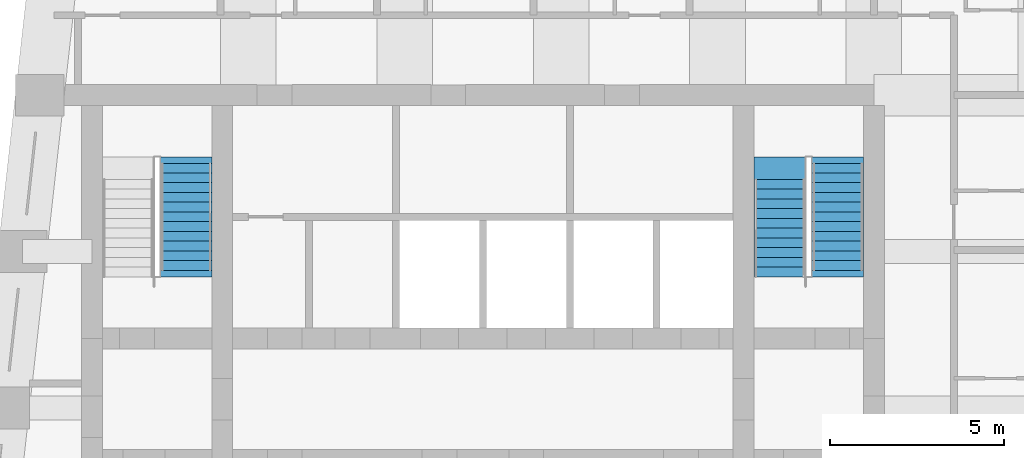
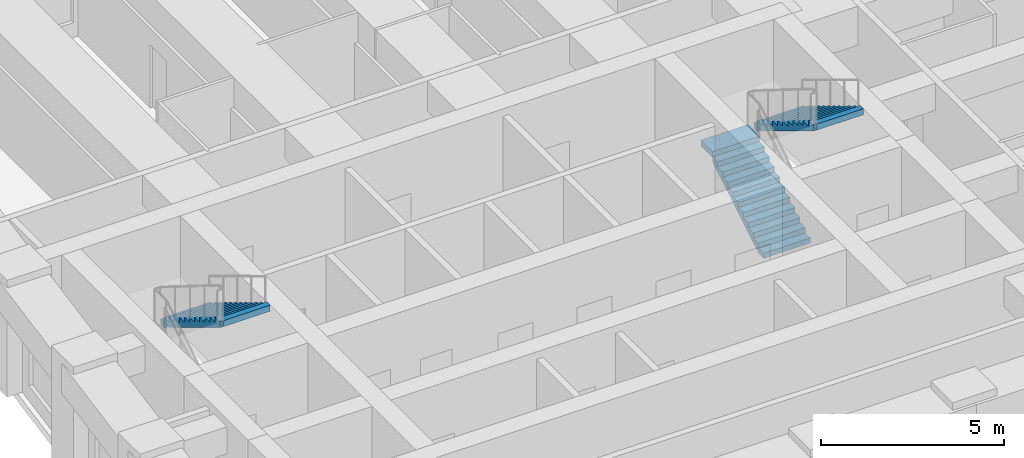
# One storey, part 6 of 7: 3 stair flights, 2 elements without a shape of their own.
"""IFC4 building model written with IfcOpenShell, lengths in metres."""

from ifc_helpers import new_model, si_unit, direction, frame, origin, place, context, subcontext, project, spatial, polyline, outline, extrude, material, type_object, element, aggregate, save


model = new_model("IFC4")

# Units and contexts
model_context = context("Model", 3, precision=1e-05, world=origin(), true_north=direction((0.0, 1.0)))
body_context = subcontext(model_context, "Body", "Model", "MODEL_VIEW")
ifc_project = project(units=[si_unit("LENGTHUNIT", "METRE"), si_unit("AREAUNIT", "SQUARE_METRE"), si_unit("VOLUMEUNIT", "CUBIC_METRE"), si_unit("PLANEANGLEUNIT", "RADIAN"), si_unit("MASSUNIT", "GRAM", prefix="KILO")], contexts=[model_context])

# Site, building, storey
site_placement = place(None, origin())
site = spatial("IfcSite", under=ifc_project, at=site_placement, CompositionType="ELEMENT")
building_placement = place(site_placement, origin())
building = spatial("IfcBuilding", under=site, at=building_placement, Name="Kilele Tower Hotel", CompositionType="ELEMENT")
storey_placement = place(building_placement, frame((0.0, 0.0, 262.39990234375)))
storey = spatial("IfcBuildingStorey", under=building, at=storey_placement, Name="L67", CompositionType="ELEMENT", Elevation=262.39990234375)

# Stair, stair flight
ifc_material_1 = material(Name="Precast concrete C40/50", Category="concrete")
stair_type = type_object("IfcStairType", Name="Stair 1475 x 3900", PredefinedType="HALF_TURN_STAIR", material=ifc_material_1)
stair_1_placement = place(storey_placement, origin())
stair_1 = element("IfcStair", 1, at=stair_1_placement, inside=storey, type_object=stair_type, Name="Stair 1 L67", PredefinedType="HALF_TURN_STAIR")
ifc_material_2 = material(Name="Precast concrete C40/50", Category="concrete")
stair_flight_type = type_object("IfcStairFlightType", Name="Flight 1475 riser 169.6", PredefinedType="STRAIGHT", material=ifc_material_2)
stair_flight_1_placement = place(storey_placement, frame((16.21240234375, 25.0400390625, 1.865234375), z_axis=(0.0, 0.0, 1.0), x_axis=(0.0, -1.0, 0.0)))
stair_flight_1 = element("IfcStairFlight", 2, at=stair_flight_1_placement, type_object=stair_flight_type, Name="ST1 flight 2", NumberOfRisers=12, NumberOfTreads=11, PredefinedType="STRAIGHT", RiserHeight=0.169565217, TreadLength=0.28, context=body_context, shape_type="SweptSolid", body=[
    extrude(outline(polyline([(0.0, 0.0), (0.0, 0.169677734375), (0.280029296875, 0.169677734375), (0.280029296875, 0.339111328125), (0.56005859375, 0.339111328125), (0.56005859375, 0.5087890625), (0.840087890625, 0.5087890625), (0.840087890625, 0.67822265625), (1.1201171875, 0.67822265625), (1.1201171875, 0.847900390625), (1.39990234375, 0.847900390625), (1.39990234375, 1.017333984375), (1.679931640625, 1.017333984375), (1.679931640625, 1.18701171875), (1.9599609375, 1.18701171875), (1.9599609375, 1.3564453125), (2.239990234375, 1.3564453125), (2.239990234375, 1.526123046875), (2.52001953125, 1.526123046875), (2.52001953125, 1.695556640625), (2.800048828125, 1.695556640625), (2.800048828125, 1.865234375), (3.080078125, 1.865234375), (3.080078125, 2.03466796875), (3.080078125, 1.68994140625), (0.289306640625, 0.0), (0.0, 0.0)])), frame((0.0, 0.737548828125, 0.0), z_axis=(0.0, -1.0, 0.0), x_axis=(1.0, 0.0, 0.0)), (0.0, 0.0, 1.0), 1.47509765625),
    extrude(outline(polyline([(0.0, -0.7373046875), (0.0, 0.737548828125), (-0.18505859375, 0.737548828125), (-0.18505859375, -0.7373046875), (0.0, -0.7373046875)])), frame((0.0, 0.0, -0.199951171875)), (0.0, 0.0, 1.0), 0.199951171875),
    extrude(outline(polyline([(3.26513671875, -0.7373046875), (3.26513671875, 0.737548828125), (3.080078125, 0.737548828125), (3.080078125, -0.7373046875), (3.26513671875, -0.7373046875)])), frame((0.0, 0.0, 1.8349609375)), (0.0, 0.0, 1.0), 0.199951171875),
])
aggregate(stair_1, [stair_flight_1])

# Stair, stair flights
stair_2_placement = place(storey_placement, origin())
stair_2 = element("IfcStair", 3, at=stair_2_placement, inside=storey, type_object=stair_type, Name="Stair 2 L67", PredefinedType="HALF_TURN_STAIR")
stair_flight_2_placement = place(storey_placement, frame((33.28759765625, 21.77490234375, 0.0), z_axis=(0.0, 0.0, 1.0), x_axis=(0.0, 1.0, 0.0)))
stair_flight_2 = element("IfcStairFlight", 4, at=stair_flight_2_placement, type_object=stair_flight_type, Name="ST2 flight 1", NumberOfRisers=11, NumberOfTreads=10, PredefinedType="STRAIGHT", RiserHeight=0.169565217, TreadLength=0.28, context=body_context, shape_type="SweptSolid", body=[
    extrude(outline(polyline([(0.0, 0.0), (0.0, 0.169677734375), (0.280029296875, 0.169677734375), (0.280029296875, 0.339111328125), (0.56005859375, 0.339111328125), (0.56005859375, 0.5087890625), (0.840087890625, 0.5087890625), (0.840087890625, 0.67822265625), (1.1201171875, 0.67822265625), (1.1201171875, 0.847900390625), (1.39990234375, 0.847900390625), (1.39990234375, 1.017333984375), (1.679931640625, 1.017333984375), (1.679931640625, 1.18701171875), (1.9599609375, 1.18701171875), (1.9599609375, 1.3564453125), (2.239990234375, 1.3564453125), (2.239990234375, 1.526123046875), (2.52001953125, 1.526123046875), (2.52001953125, 1.695556640625), (2.800048828125, 1.695556640625), (2.800048828125, 1.865234375), (2.800048828125, 1.5205078125), (0.289306640625, 0.0), (0.0, 0.0)])), frame((0.0, 0.737548828125, 0.0), z_axis=(0.0, -1.0, 0.0), x_axis=(1.0, 0.0, 0.0)), (0.0, 0.0, 1.0), 1.47509765625),
    extrude(outline(polyline([(2.800048828125, 0.737548828125), (2.800048828125, -0.7373046875), (3.4501953125, -0.7373046875), (3.4501953125, 0.737548828125), (2.800048828125, 0.737548828125)])), frame((0.0, 0.0, 1.665283203125)), (0.0, 0.0, 1.0), 0.199951171875),
])
stair_flight_3_placement = place(storey_placement, frame((34.96240234375, 25.0400390625, 1.865234375), z_axis=(0.0, 0.0, 1.0), x_axis=(0.0, -1.0, 0.0)))
stair_flight_3 = element("IfcStairFlight", 5, at=stair_flight_3_placement, type_object=stair_flight_type, Name="ST2 flight 2", NumberOfRisers=12, NumberOfTreads=11, PredefinedType="STRAIGHT", RiserHeight=0.169565217, TreadLength=0.28, context=body_context, shape_type="SweptSolid", body=[
    extrude(outline(polyline([(0.0, 0.0), (0.0, 0.169677734375), (0.280029296875, 0.169677734375), (0.280029296875, 0.339111328125), (0.56005859375, 0.339111328125), (0.56005859375, 0.5087890625), (0.840087890625, 0.5087890625), (0.840087890625, 0.67822265625), (1.1201171875, 0.67822265625), (1.1201171875, 0.847900390625), (1.39990234375, 0.847900390625), (1.39990234375, 1.017333984375), (1.679931640625, 1.017333984375), (1.679931640625, 1.18701171875), (1.9599609375, 1.18701171875), (1.9599609375, 1.3564453125), (2.239990234375, 1.3564453125), (2.239990234375, 1.526123046875), (2.52001953125, 1.526123046875), (2.52001953125, 1.695556640625), (2.800048828125, 1.695556640625), (2.800048828125, 1.865234375), (3.080078125, 1.865234375), (3.080078125, 2.03466796875), (3.080078125, 1.68994140625), (0.289306640625, 0.0), (0.0, 0.0)])), frame((0.0, 0.737548828125, 0.0), z_axis=(0.0, -1.0, 0.0), x_axis=(1.0, 0.0, 0.0)), (0.0, 0.0, 1.0), 1.47509765625),
    extrude(outline(polyline([(0.0, -0.7373046875), (0.0, 0.737548828125), (-0.18505859375, 0.737548828125), (-0.18505859375, -0.7373046875), (0.0, -0.7373046875)])), frame((0.0, 0.0, -0.199951171875)), (0.0, 0.0, 1.0), 0.199951171875),
    extrude(outline(polyline([(3.26513671875, -0.7373046875), (3.26513671875, 0.737548828125), (3.080078125, 0.737548828125), (3.080078125, -0.7373046875), (3.26513671875, -0.7373046875)])), frame((0.0, 0.0, 1.8349609375)), (0.0, 0.0, 1.0), 0.199951171875),
])
aggregate(stair_2, [stair_flight_2, stair_flight_3])

save(model, "model.ifc")
